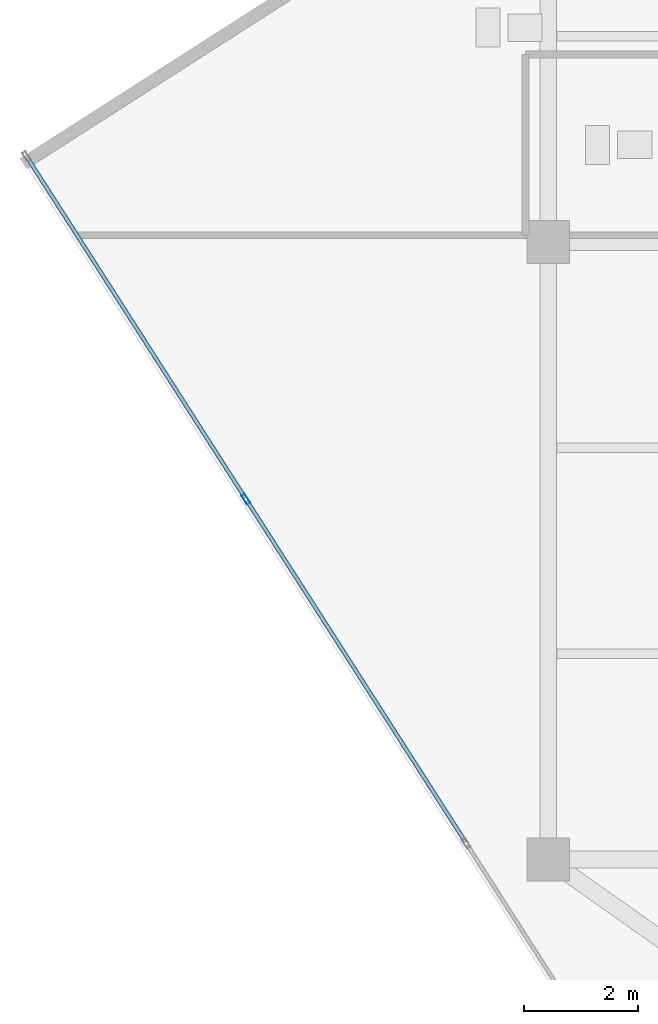
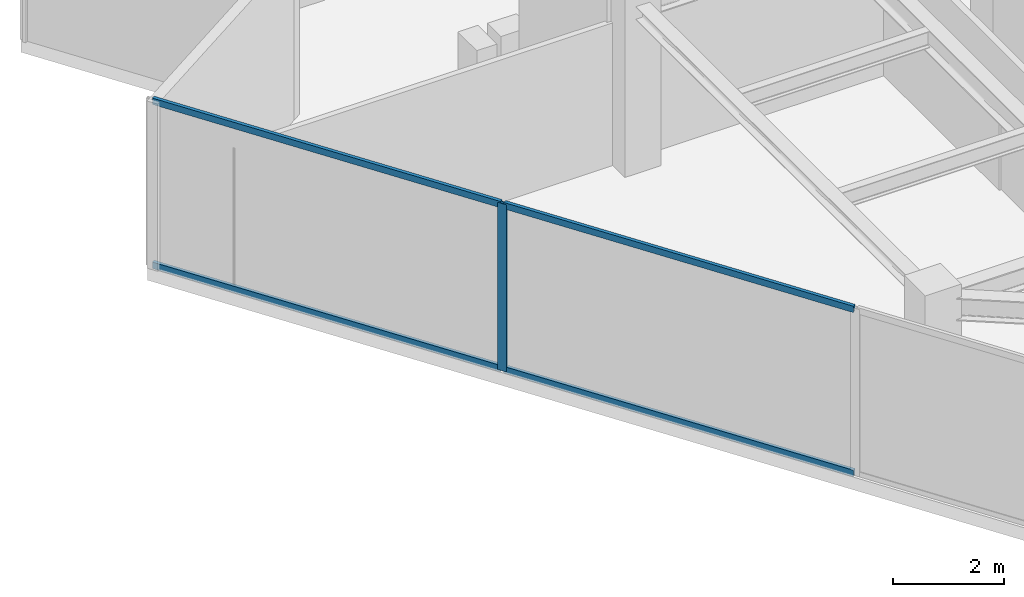
# One storey, part 4 of 20: 5 members, 1 element without a shape of its own.
"""IFC4 building model written with IfcOpenShell, lengths in metres."""

from ifc_helpers import new_model, si_unit, direction, frame, origin, origin_2d, place, context, subcontext, project, spatial, hollow_rectangle, extrude, source, transform, mapped, material, material_profile, profile_set, type_object, type_shapes, element, aggregate, save


model = new_model("IFC4")

# Units and contexts
model_context = context("Model", 3, precision=1e-05, world=origin(), true_north=direction((0.0, 1.0)))
body_context = subcontext(model_context, "Body", "Model", "MODEL_VIEW")
ifc_project = project(units=[si_unit("LENGTHUNIT", "METRE"), si_unit("AREAUNIT", "SQUARE_METRE"), si_unit("VOLUMEUNIT", "CUBIC_METRE"), si_unit("PLANEANGLEUNIT", "RADIAN"), si_unit("MASSUNIT", "GRAM", prefix="KILO")], contexts=[model_context])

# Site, building, storey
site_placement = place(None, origin())
site = spatial("IfcSite", under=ifc_project, at=site_placement, CompositionType="ELEMENT")
building_placement = place(site_placement, origin())
building = spatial("IfcBuilding", under=site, at=building_placement, Name="Krantzveldt Concourse Tower", CompositionType="ELEMENT")
storey_placement = place(building_placement, frame((0.0, 0.0, 287.14990234375)))
storey = spatial("IfcBuildingStorey", under=building, at=storey_placement, Name="L70", CompositionType="ELEMENT", Elevation=287.14990234375)

# Curtain wall, members
ifc_material = material(Name="Anodised aluminium 6063-T6", Category="aluminium")
curtain_wall_type = type_object("IfcCurtainWallType", Name="CW4", PredefinedType="USERDEFINED", material=ifc_material)
curtain_wall_placement = place(storey_placement, origin())
curtain_wall = element("IfcCurtainWall", 1, at=curtain_wall_placement, inside=storey, type_object=curtain_wall_type, Name="CW-L70-F04", ObjectType="UNITISED CURTAIN WALL", PredefinedType="USERDEFINED")
ifc_material_profile_1 = material_profile(ifc_material, hollow_rectangle(XDim=0.070068359375, YDim=0.179931640625, WallThickness=0.0048828125, at=origin_2d()), Name="Anodised aluminium 6063-T6", Category="aluminium")
ifc_profile_set_1 = profile_set([ifc_material_profile_1], Name="Anodised aluminium 6063-T6 - ALU-MULL 180x70x5")
member_type_1 = type_object("IfcMemberType", Name="CW-MUL-180", PredefinedType="MULLION", material=ifc_profile_set_1)
shared_shape_1 = source(origin(), body_context, "Body", "SweptSolid", [
    extrude(hollow_rectangle(XDim=0.070068359375, YDim=0.179931640625, WallThickness=0.0048828125, at=origin_2d()), origin(), (0.0, 0.0, 1.0), 3.670166015625),
])
type_shapes(member_type_1, [shared_shape_1])
member_1_placement = place(storey_placement, frame((15.71337890625, 22.203369140625, 0.0), z_axis=(0.0, 0.0, 1.0), x_axis=(0.842217243088, 0.53913830827, 0.0)))
member_1 = element("IfcMember", 2, at=member_1_placement, type_object=member_type_1, Name="CW-Z56 mullion 2", PredefinedType="MULLION", context=body_context, shape_type="MappedRepresentation", body=[
    mapped(shared_shape_1, transform((0.0, 0.0, 0.0), x_axis=(1.0, 0.0, 0.0), y_axis=(0.0, 1.0, 0.0), z_axis=(0.0, 0.0, 1.0), scale=1.0)),
])
ifc_material_profile_2 = material_profile(ifc_material, hollow_rectangle(XDim=0.070068359375, YDim=0.139892578125, WallThickness=0.0048828125, at=origin_2d()), Name="Anodised aluminium 6063-T6", Category="aluminium")
ifc_profile_set_2 = profile_set([ifc_material_profile_2], Name="Anodised aluminium 6063-T6 - ALU-TRAN 140x70x5")
member_type_2 = type_object("IfcMemberType", Name="CW-TRN-150", PredefinedType="USERDEFINED", material=ifc_profile_set_2)
shared_shape_2 = source(origin(), body_context, "Body", "SweptSolid", [
    extrude(hollow_rectangle(XDim=0.070068359375, YDim=0.139892578125, WallThickness=0.0048828125, at=origin_2d()), origin(), (0.0, 0.0, 1.0), 7.080078125),
])
member_2_placement = place(storey_placement, frame((15.732421875, 22.173828125, 0.03515625), z_axis=(0.539142738786, -0.842214406915, 0.0), x_axis=(0.842214406915, 0.539142738786, 0.0)))
member_2 = element("IfcMember", 3, at=member_2_placement, type_object=member_type_2, Name="CW-Z56 transom 2.1", ObjectType="TRANSOM", PredefinedType="USERDEFINED", context=body_context, shape_type="MappedRepresentation", body=[
    mapped(shared_shape_2, transform((0.0, 0.0, 0.0), x_axis=(1.0, 0.0, 0.0), y_axis=(0.0, 1.0, 0.0), z_axis=(0.0, 0.0, 1.0), scale=1.0)),
])
member_3_placement = place(storey_placement, frame((15.732421875, 22.173828125, 3.635009765625), z_axis=(0.539142738786, -0.842214406915, 0.0), x_axis=(0.842214406915, 0.539142738786, 0.0)))
member_3 = element("IfcMember", 4, at=member_3_placement, type_object=member_type_2, Name="CW-Z56 transom 2.2", ObjectType="TRANSOM", PredefinedType="USERDEFINED", context=body_context, shape_type="MappedRepresentation", body=[
    mapped(shared_shape_2, transform((0.0, 0.0, 0.0), x_axis=(1.0, 0.0, 0.0), y_axis=(0.0, 1.0, 0.0), z_axis=(0.0, 0.0, 1.0), scale=1.0)),
])
shared_shape_3 = source(origin(), body_context, "Body", "SweptSolid", [
    extrude(hollow_rectangle(XDim=0.070068359375, YDim=0.139892578125, WallThickness=0.0048828125, at=origin_2d()), origin(), (0.0, 0.0, 1.0), 7.045166015625),
])
type_shapes(member_type_2, [shared_shape_2, shared_shape_3])
member_4_placement = place(storey_placement, frame((11.896484375, 28.166259765625, 0.03515625), z_axis=(0.539113680854, -0.842233007615, 0.0), x_axis=(0.842233007615, 0.539113680854, 0.0)))
member_4 = element("IfcMember", 5, at=member_4_placement, type_object=member_type_2, Name="CW-Z56 transom 1.1", ObjectType="TRANSOM", PredefinedType="USERDEFINED", context=body_context, shape_type="MappedRepresentation", body=[
    mapped(shared_shape_3, transform((0.0, 0.0, 0.0), x_axis=(1.0, 0.0, 0.0), y_axis=(0.0, 1.0, 0.0), z_axis=(0.0, 0.0, 1.0), scale=1.0)),
])
member_5_placement = place(storey_placement, frame((11.896484375, 28.166259765625, 3.635009765625), z_axis=(0.539113680854, -0.842233007615, 0.0), x_axis=(0.842233007615, 0.539113680854, 0.0)))
member_5 = element("IfcMember", 6, at=member_5_placement, type_object=member_type_2, Name="CW-Z56 transom 1.2", ObjectType="TRANSOM", PredefinedType="USERDEFINED", context=body_context, shape_type="MappedRepresentation", body=[
    mapped(shared_shape_3, transform((0.0, 0.0, 0.0), x_axis=(1.0, 0.0, 0.0), y_axis=(0.0, 1.0, 0.0), z_axis=(0.0, 0.0, 1.0), scale=1.0)),
])
aggregate(curtain_wall, [member_1, member_4, member_5, member_2, member_3])

save(model, "model.ifc")
